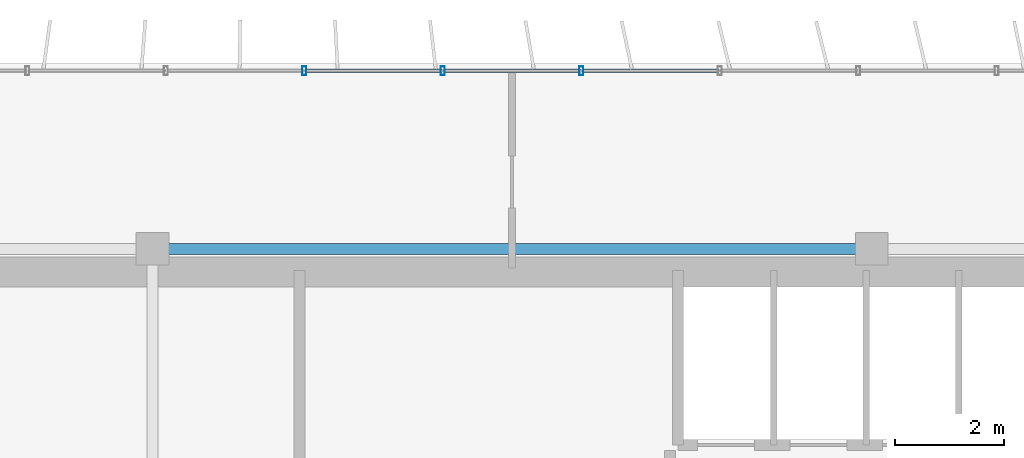
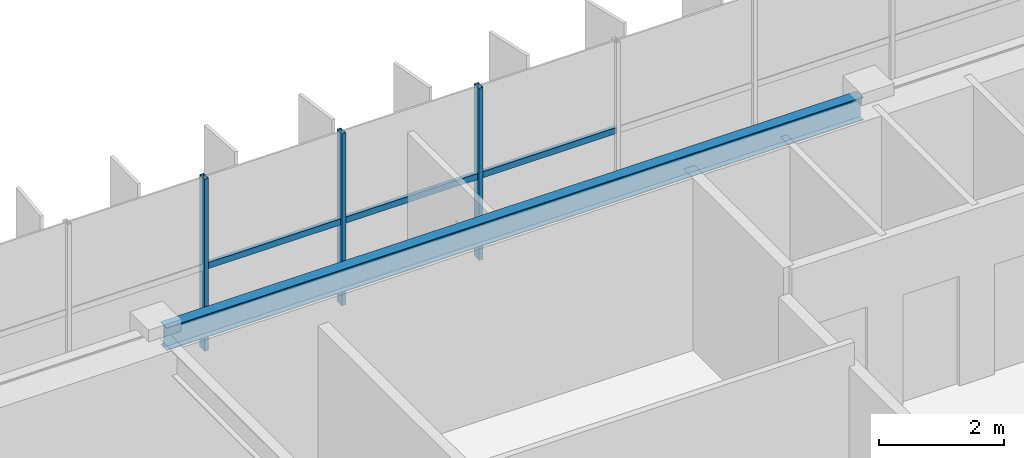
# One storey, part 9 of 21: 6 members, 1 beam, 1 element without a shape of its own.
"""IFC4 building model written with IfcOpenShell, lengths in metres."""

from ifc_helpers import new_model, si_unit, direction, frame, origin, origin_2d, place, context, subcontext, project, spatial, hollow_rectangle, i_section, extrude, source, transform, mapped, material, material_profile, profile_set, type_object, element, aggregate, save


model = new_model("IFC4")

# Units and contexts
model_context = context("Model", 3, precision=1e-05, world=origin(), true_north=direction((0.0, 1.0)))
body_context = subcontext(model_context, "Body", "Model", "MODEL_VIEW")
ifc_project = project(units=[si_unit("LENGTHUNIT", "METRE"), si_unit("AREAUNIT", "SQUARE_METRE"), si_unit("VOLUMEUNIT", "CUBIC_METRE"), si_unit("PLANEANGLEUNIT", "RADIAN"), si_unit("MASSUNIT", "GRAM", prefix="KILO")], contexts=[model_context])

# Site, building, storey
site_placement = place(None, origin())
site = spatial("IfcSite", under=ifc_project, at=site_placement, CompositionType="ELEMENT")
building_placement = place(site_placement, origin())
building = spatial("IfcBuilding", under=site, at=building_placement, Name="Trelvane Seafront Commons", CompositionType="ELEMENT")
storey_placement = place(building_placement, frame((0.0, 0.0, 252.300048828125)))
storey = spatial("IfcBuildingStorey", under=building, at=storey_placement, Name="L65", CompositionType="ELEMENT", Elevation=252.300048828125)

# Beam
ifc_material_1 = material(Name="Steel SM355 (S355)", Category="steel")
ifc_material_profile_1 = material_profile(ifc_material_1, i_section(OverallWidth=0.199951171875, OverallDepth=0.449951171875, WebThickness=0.009033203125, FlangeThickness=0.013916015625, at=origin_2d()), Name="H-450x200x9x14")
ifc_profile_set_1 = profile_set([ifc_material_profile_1], Name="Steel SM355 (S355)")
beam_type = type_object("IfcBeamType", Name="STR-SPD-H450", PredefinedType="SPANDREL", material=ifc_profile_set_1)
shared_shape_1 = source(origin(), body_context, "Body", "SweptSolid", [
    extrude(i_section(OverallWidth=0.199951171875, OverallDepth=0.449951171875, WebThickness=0.009033203125, FlangeThickness=0.013916015625, at=origin_2d()), origin(), (0.0, 0.0, 1.0), 12.89990234375),
])
beam_placement = place(storey_placement, frame((30.75, 45.10009765625, 3.14501953125), z_axis=(1.0, 0.0, 0.0), x_axis=(0.0, 1.0, 0.0)))
element("IfcBeam", 1, at=beam_placement, inside=storey, type_object=beam_type, Name="L65 Primary Girder G-25", PredefinedType="SPANDREL", context=body_context, shape_type="MappedRepresentation", body=[
    mapped(shared_shape_1, transform((0.0, 0.0, 0.0), x_axis=(1.0, 0.0, 0.0), y_axis=(0.0, 1.0, 0.0), z_axis=(0.0, 0.0, 1.0), scale=1.0)),
])

# Curtain wall, members
ifc_material_2 = material(Name="Anodised pale-silver aluminium", Category="aluminium")
curtain_wall_type = type_object("IfcCurtainWallType", Name="ARCH-CW5-UPTOWER", PredefinedType="NOTDEFINED", material=ifc_material_2)
curtain_wall_placement = place(storey_placement, origin())
curtain_wall = element("IfcCurtainWall", 2, at=curtain_wall_placement, inside=storey, type_object=curtain_wall_type, Name="CW-L65-0109", PredefinedType="NOTDEFINED")
ifc_material_profile_2 = material_profile(ifc_material_2, hollow_rectangle(XDim=0.070068359375, YDim=0.1201171875, WallThickness=0.00390625, at=origin_2d()), Name="TRAN-70x120x4")
ifc_profile_set_2 = profile_set([ifc_material_profile_2], Name="Anodised pale-silver aluminium")
member_type_1 = type_object("IfcMemberType", Name="ARCH-CW-TRAN-120", PredefinedType="USERDEFINED", material=ifc_profile_set_2)
shared_shape_2 = source(origin(), body_context, "Body", "SweptSolid", [
    extrude(hollow_rectangle(XDim=0.070068359375, YDim=0.1201171875, WallThickness=0.00390625, at=origin_2d()), origin(), (0.0, 0.0, 1.0), 2.51708984375),
])
member_1_placement = place(storey_placement, frame((35.94140625, 48.3701171875, 1.617919921875), z_axis=(1.0, 0.0, 0.0), x_axis=(0.0, 1.0, 0.0)))
member_1 = element("IfcMember", 3, at=member_1_placement, type_object=member_type_1, Name="CW-L65-0109-T08", ObjectType="TRANSOM", PredefinedType="USERDEFINED", context=body_context, shape_type="MappedRepresentation", body=[
    mapped(shared_shape_2, transform((0.0, 0.0, 0.0), x_axis=(1.0, 0.0, 0.0), y_axis=(0.0, 1.0, 0.0), z_axis=(0.0, 0.0, 1.0), scale=1.0)),
])
member_2_placement = place(storey_placement, frame((38.482666015625, 48.3701171875, 1.617919921875), z_axis=(1.0, 0.0, 0.0), x_axis=(0.0, 1.0, 0.0)))
member_2 = element("IfcMember", 4, at=member_2_placement, type_object=member_type_1, Name="CW-L65-0109-T09", ObjectType="TRANSOM", PredefinedType="USERDEFINED", context=body_context, shape_type="MappedRepresentation", body=[
    mapped(shared_shape_2, transform((0.0, 0.0, 0.0), x_axis=(1.0, 0.0, 0.0), y_axis=(0.0, 1.0, 0.0), z_axis=(0.0, 0.0, 1.0), scale=1.0)),
])
shared_shape_3 = source(origin(), body_context, "Body", "SweptSolid", [
    extrude(hollow_rectangle(XDim=0.070068359375, YDim=0.1201171875, WallThickness=0.00390625, at=origin_2d()), origin(), (0.0, 0.0, 1.0), 2.517333984375),
])
member_3_placement = place(storey_placement, frame((33.400146484375, 48.3701171875, 1.617919921875), z_axis=(1.0, 0.0, 0.0), x_axis=(0.0, 1.0, 0.0)))
member_3 = element("IfcMember", 5, at=member_3_placement, type_object=member_type_1, Name="CW-L65-0109-T07", ObjectType="TRANSOM", PredefinedType="USERDEFINED", context=body_context, shape_type="MappedRepresentation", body=[
    mapped(shared_shape_3, transform((0.0, 0.0, 0.0), x_axis=(1.0, 0.0, 0.0), y_axis=(0.0, 1.0, 0.0), z_axis=(0.0, 0.0, 1.0), scale=1.0)),
])
ifc_material_profile_3 = material_profile(ifc_material_2, hollow_rectangle(XDim=0.074951171875, YDim=0.159912109375, WallThickness=0.00390625, at=origin_2d()), Name="MULL-75x160x4")
ifc_profile_set_3 = profile_set([ifc_material_profile_3], Name="Anodised pale-silver aluminium")
member_type_2 = type_object("IfcMemberType", Name="ARCH-CW-MULL-160", PredefinedType="MULLION", material=ifc_profile_set_3)
shared_shape_4 = source(origin(), body_context, "Body", "SweptSolid", [
    extrude(hollow_rectangle(XDim=0.074951171875, YDim=0.159912109375, WallThickness=0.00390625, at=origin_2d()), origin(), (0.0, 0.0, 1.0), 3.369873046875),
])
member_4_placement = place(storey_placement, frame((33.38818359375, 48.3701171875, 0.0), z_axis=(0.0, 0.0, 1.0), x_axis=(1.0, 0.0, 0.0)))
member_4 = element("IfcMember", 6, at=member_4_placement, type_object=member_type_2, Name="CW-L65-0109-M07", PredefinedType="MULLION", context=body_context, shape_type="MappedRepresentation", body=[
    mapped(shared_shape_4, transform((0.0, 0.0, 0.0), x_axis=(1.0, 0.0, 0.0), y_axis=(0.0, 1.0, 0.0), z_axis=(0.0, 0.0, 1.0), scale=1.0)),
])
member_5_placement = place(storey_placement, frame((35.929443359375, 48.3701171875, 0.0), z_axis=(0.0, 0.0, 1.0), x_axis=(1.0, 0.0, 0.0)))
member_5 = element("IfcMember", 7, at=member_5_placement, type_object=member_type_2, Name="CW-L65-0109-M08", PredefinedType="MULLION", context=body_context, shape_type="MappedRepresentation", body=[
    mapped(shared_shape_4, transform((0.0, 0.0, 0.0), x_axis=(1.0, 0.0, 0.0), y_axis=(0.0, 1.0, 0.0), z_axis=(0.0, 0.0, 1.0), scale=1.0)),
])
member_6_placement = place(storey_placement, frame((38.470703125, 48.3701171875, 0.0), z_axis=(0.0, 0.0, 1.0), x_axis=(1.0, 0.0, 0.0)))
member_6 = element("IfcMember", 8, at=member_6_placement, type_object=member_type_2, Name="CW-L65-0109-M09", PredefinedType="MULLION", context=body_context, shape_type="MappedRepresentation", body=[
    mapped(shared_shape_4, transform((0.0, 0.0, 0.0), x_axis=(1.0, 0.0, 0.0), y_axis=(0.0, 1.0, 0.0), z_axis=(0.0, 0.0, 1.0), scale=1.0)),
])
aggregate(curtain_wall, [member_4, member_5, member_6, member_3, member_1, member_2])

save(model, "model.ifc")
